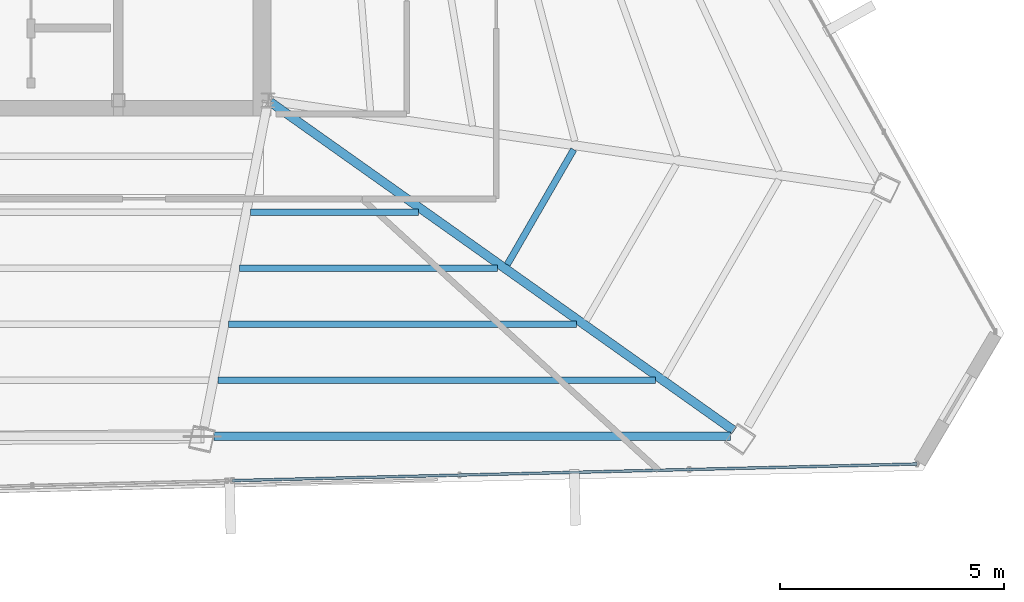
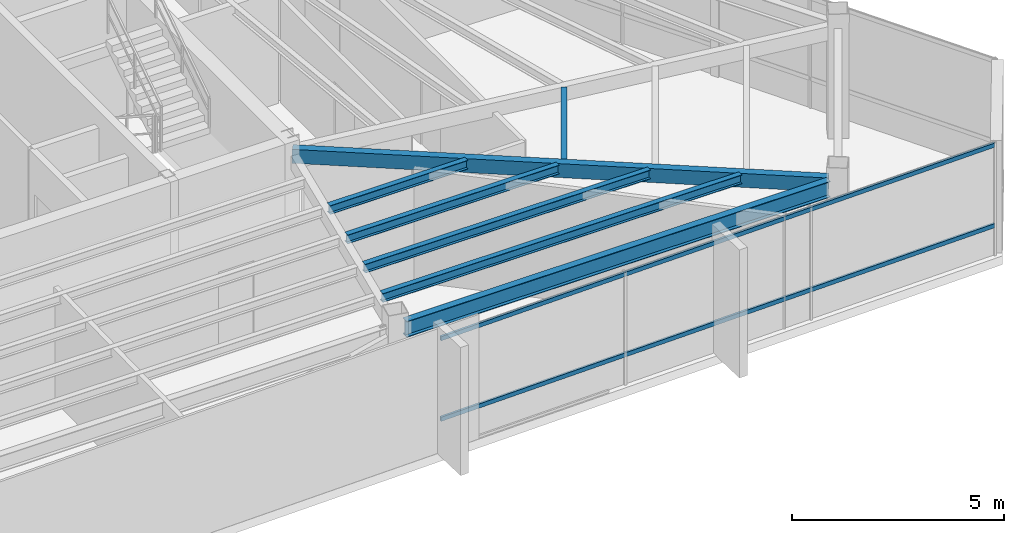
# One storey, part 22 of 44: 7 beams, 2 members, 1 element without a shape of its own.
"""IFC4 building model written with IfcOpenShell, lengths in metres."""

from ifc_helpers import new_model, si_unit, direction, frame, origin, origin_2d, place, context, subcontext, project, spatial, hollow_rectangle, i_section, extrude, source, transform, mapped, material, material_profile, profile_set, type_object, type_shapes, element, aggregate, save


model = new_model("IFC4")

# Units and contexts
model_context = context("Model", 3, precision=1e-05, world=origin(), true_north=direction((0.0, 1.0)))
body_context = subcontext(model_context, "Body", "Model", "MODEL_VIEW")
ifc_project = project(units=[si_unit("LENGTHUNIT", "METRE"), si_unit("AREAUNIT", "SQUARE_METRE"), si_unit("VOLUMEUNIT", "CUBIC_METRE"), si_unit("PLANEANGLEUNIT", "RADIAN"), si_unit("MASSUNIT", "GRAM", prefix="KILO")], contexts=[model_context])

# Site, building, storey
site_placement = place(None, origin())
site = spatial("IfcSite", under=ifc_project, at=site_placement, CompositionType="ELEMENT")
building_placement = place(site_placement, origin())
building = spatial("IfcBuilding", under=site, at=building_placement, Name="Caelisora Broadcast Tower", CompositionType="ELEMENT")
storey_placement = place(building_placement, frame((0.0, 0.0, 280.949951171875)))
storey = spatial("IfcBuildingStorey", under=building, at=storey_placement, Name="L74", CompositionType="ELEMENT", Elevation=280.949951171875)

# Beams
ifc_material_1 = material(Name="Steel Grade 350 (AS/NZS 3679.1)", Category="steel")
ifc_material_profile_1 = material_profile(ifc_material_1, i_section(OverallWidth=0.19091796875, OverallDepth=0.46044921875, WebThickness=0.010009765625, FlangeThickness=0.01611328125, at=origin_2d()), Name="Steel Grade 350 (AS/NZS 3679.1)")
ifc_profile_set_1 = profile_set([ifc_material_profile_1], Name="Steel Grade 350 (AS/NZS 3679.1)")
beam_type_1 = type_object("IfcBeamType", Name="PG06", PredefinedType="BEAM", material=ifc_profile_set_1)
shared_shape_1 = source(origin(), body_context, "Body", "SweptSolid", [
    extrude(i_section(OverallWidth=0.19091796875, OverallDepth=0.46044921875, WebThickness=0.010009765625, FlangeThickness=0.01611328125, at=origin_2d()), origin(), (0.0, 0.0, 1.0), 11.542236328125),
])
type_shapes(beam_type_1, [shared_shape_1])
beam_1_placement = place(storey_placement, frame((44.291259765625, 9.890380859375, 3.019775390625), z_axis=(1.0, 0.0, 0.0), x_axis=(0.0, 1.0, 0.0)))
element("IfcBeam", 1, at=beam_1_placement, inside=storey, type_object=beam_type_1, Name="L74 beam PG06", PredefinedType="BEAM", context=body_context, shape_type="MappedRepresentation", body=[
    mapped(shared_shape_1, transform((0.0, 0.0, 0.0), scale=1.0)),
])
ifc_material_2 = material(Name="Steel Grade 350 (AS/NZS 1163 C350L0)", Category="steel")
ifc_material_profile_2 = material_profile(ifc_material_2, hollow_rectangle(XDim=0.199951171875, YDim=0.39990234375, WallThickness=0.012451171875, at=origin_2d()), Name="Steel Grade 350 (AS/NZS 1163 C350L0)")
ifc_profile_set_2 = profile_set([ifc_material_profile_2], Name="Steel Grade 350 (AS/NZS 1163 C350L0)")
beam_type_2 = type_object("IfcBeamType", Name="PG07", PredefinedType="BEAM", material=ifc_profile_set_2)
shared_shape_2 = source(origin(), body_context, "Body", "SweptSolid", [
    extrude(hollow_rectangle(XDim=0.199951171875, YDim=0.39990234375, WallThickness=0.012451171875, at=origin_2d()), origin(), (0.0, 0.0, 1.0), 12.705322265625),
])
type_shapes(beam_type_2, [shared_shape_2])
beam_2_placement = place(storey_placement, frame((45.548828125, 17.365234375, 3.050048828125), z_axis=(0.815815966936, -0.578311601208, 0.0), x_axis=(0.578311601208, 0.815815966936, 0.0)))
element("IfcBeam", 2, at=beam_2_placement, inside=storey, type_object=beam_type_2, Name="L74 beam PG07", PredefinedType="BEAM", context=body_context, shape_type="MappedRepresentation", body=[
    mapped(shared_shape_2, transform((0.0, 0.0, 0.0), scale=1.0)),
])
ifc_material_profile_3 = material_profile(ifc_material_1, i_section(OverallWidth=0.14599609375, OverallDepth=0.256103515625, WebThickness=0.00634765625, FlangeThickness=0.010986328125, at=origin_2d()), Name="Steel Grade 350 (AS/NZS 3679.1)")
ifc_profile_set_3 = profile_set([ifc_material_profile_3], Name="Steel Grade 350 (AS/NZS 3679.1)")
beam_type_3 = type_object("IfcBeamType", Name="SB04", PredefinedType="JOIST", material=ifc_profile_set_3)
shared_shape_3 = source(origin(), body_context, "Body", "SweptSolid", [
    extrude(i_section(OverallWidth=0.14599609375, OverallDepth=0.256103515625, WebThickness=0.00634765625, FlangeThickness=0.010986328125, at=origin_2d()), origin(), (0.0, 0.0, 1.0), 2.970458984375),
])
beam_3_placement = place(storey_placement, frame((50.845458984375, 13.7294921875, 3.1220703125), z_axis=(0.500028367561, 0.866009025146, 0.0), x_axis=(-0.866009025146, 0.500028367561, 0.0)))
element("IfcBeam", 3, at=beam_3_placement, inside=storey, type_object=beam_type_3, Name="L74 beam SB04", PredefinedType="JOIST", context=body_context, shape_type="MappedRepresentation", body=[
    mapped(shared_shape_3, transform((0.0, 0.0, 0.0), scale=1.0)),
])
shared_shape_4 = source(origin(), body_context, "Body", "SweptSolid", [
    extrude(i_section(OverallWidth=0.14599609375, OverallDepth=0.256103515625, WebThickness=0.00634765625, FlangeThickness=0.010986328125, at=origin_2d()), origin(), (0.0, 0.0, 1.0), 3.751953125),
])
beam_4_placement = place(storey_placement, frame((45.109375, 14.896728515625, 3.1220703125), z_axis=(1.0, 0.0, 0.0), x_axis=(0.0, 1.0, 0.0)))
element("IfcBeam", 4, at=beam_4_placement, inside=storey, type_object=beam_type_3, Name="L74 beam SB04", PredefinedType="JOIST", context=body_context, shape_type="MappedRepresentation", body=[
    mapped(shared_shape_4, transform((0.0, 0.0, 0.0), scale=1.0)),
])
shared_shape_5 = source(origin(), body_context, "Body", "SweptSolid", [
    extrude(i_section(OverallWidth=0.14599609375, OverallDepth=0.256103515625, WebThickness=0.00634765625, FlangeThickness=0.010986328125, at=origin_2d()), origin(), (0.0, 0.0, 1.0), 5.762451171875),
])
beam_5_placement = place(storey_placement, frame((44.864501953125, 13.645263671875, 3.1220703125), z_axis=(1.0, 0.0, 0.0), x_axis=(0.0, 1.0, 0.0)))
element("IfcBeam", 5, at=beam_5_placement, inside=storey, type_object=beam_type_3, Name="L74 beam SB04", PredefinedType="JOIST", context=body_context, shape_type="MappedRepresentation", body=[
    mapped(shared_shape_5, transform((0.0, 0.0, 0.0), scale=1.0)),
])
shared_shape_6 = source(origin(), body_context, "Body", "SweptSolid", [
    extrude(i_section(OverallWidth=0.14599609375, OverallDepth=0.256103515625, WebThickness=0.00634765625, FlangeThickness=0.010986328125, at=origin_2d()), origin(), (0.0, 0.0, 1.0), 7.77294921875),
])
beam_6_placement = place(storey_placement, frame((44.61962890625, 12.393798828125, 3.1220703125), z_axis=(1.0, 0.0, 0.0), x_axis=(0.0, 1.0, 0.0)))
element("IfcBeam", 6, at=beam_6_placement, inside=storey, type_object=beam_type_3, Name="L74 beam SB04", PredefinedType="JOIST", context=body_context, shape_type="MappedRepresentation", body=[
    mapped(shared_shape_6, transform((0.0, 0.0, 0.0), scale=1.0)),
])
shared_shape_7 = source(origin(), body_context, "Body", "SweptSolid", [
    extrude(i_section(OverallWidth=0.14599609375, OverallDepth=0.256103515625, WebThickness=0.00634765625, FlangeThickness=0.010986328125, at=origin_2d()), origin(), (0.0, 0.0, 1.0), 9.783203125),
])
type_shapes(beam_type_3, [shared_shape_3, shared_shape_4, shared_shape_5, shared_shape_6, shared_shape_7])
beam_7_placement = place(storey_placement, frame((44.375, 11.14208984375, 3.1220703125), z_axis=(1.0, 0.0, 0.0), x_axis=(0.0, 1.0, 0.0)))
element("IfcBeam", 7, at=beam_7_placement, inside=storey, type_object=beam_type_3, Name="L74 beam SB04", PredefinedType="JOIST", context=body_context, shape_type="MappedRepresentation", body=[
    mapped(shared_shape_7, transform((0.0, 0.0, 0.0), scale=1.0)),
])

# Curtain wall, members
ifc_material_3 = material(Name="Unitised Aluminium and Low-E Glass Curtain Wall", Category="glass")
curtain_wall_type = type_object("IfcCurtainWallType", Name="CW-Z5", PredefinedType="NOTDEFINED", material=ifc_material_3)
curtain_wall_placement = place(storey_placement, origin())
curtain_wall = element("IfcCurtainWall", 8, at=curtain_wall_placement, inside=storey, type_object=curtain_wall_type, Name="L74 curtain wall CW-Z5", PredefinedType="NOTDEFINED")
ifc_material_4 = material(Name="Aluminium 6063-T6 Anodised Terracotta Bronze", Category="aluminium")
ifc_material_profile_4 = material_profile(ifc_material_4, hollow_rectangle(XDim=0.06005859375, YDim=0.1201171875, WallThickness=0.0029296875, at=origin_2d()), Name="Aluminium 6063-T6 Anodised Terracotta Bronze")
ifc_profile_set_4 = profile_set([ifc_material_profile_4], Name="Aluminium 6063-T6 Anodised Terracotta Bronze")
member_type = type_object("IfcMemberType", Name="CWT-03", PredefinedType="USERDEFINED", material=ifc_profile_set_4)
shared_shape_8 = source(origin(), body_context, "Body", "SweptSolid", [
    extrude(hollow_rectangle(XDim=0.06005859375, YDim=0.1201171875, WallThickness=0.0029296875, at=origin_2d()), origin(), (0.0, 0.0, 1.0), 15.31298828125),
])
type_shapes(member_type, [shared_shape_8])
member_1_placement = place(storey_placement, frame((60.0009765625, 9.273681640625, 0.85009765625), z_axis=(-0.999705159449, -0.024281560313, 0.0), x_axis=(0.024281560313, -0.999705159449, 0.0)))
member_1 = element("IfcMember", 9, at=member_1_placement, type_object=member_type, Name="L74-CW-B05 transom #1", ObjectType="TRANSOM", PredefinedType="USERDEFINED", context=body_context, shape_type="MappedRepresentation", body=[
    mapped(shared_shape_8, transform((0.0, 0.0, 0.0), scale=1.0)),
])
member_2_placement = place(storey_placement, frame((60.0009765625, 9.273681640625, 3.170166015625), z_axis=(-0.999705159449, -0.024281560313, 0.0), x_axis=(0.024281560313, -0.999705159449, 0.0)))
member_2 = element("IfcMember", 10, at=member_2_placement, type_object=member_type, Name="L74-CW-B05 transom #2", ObjectType="TRANSOM", PredefinedType="USERDEFINED", context=body_context, shape_type="MappedRepresentation", body=[
    mapped(shared_shape_8, transform((0.0, 0.0, 0.0), scale=1.0)),
])
aggregate(curtain_wall, [member_1, member_2])

save(model, "model.ifc")
